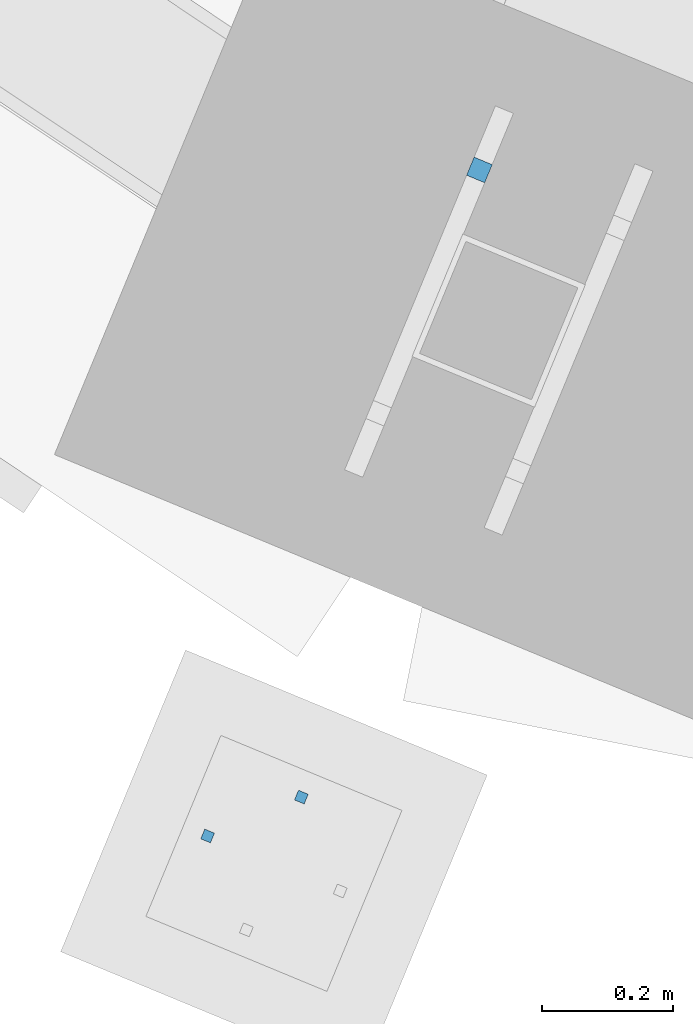
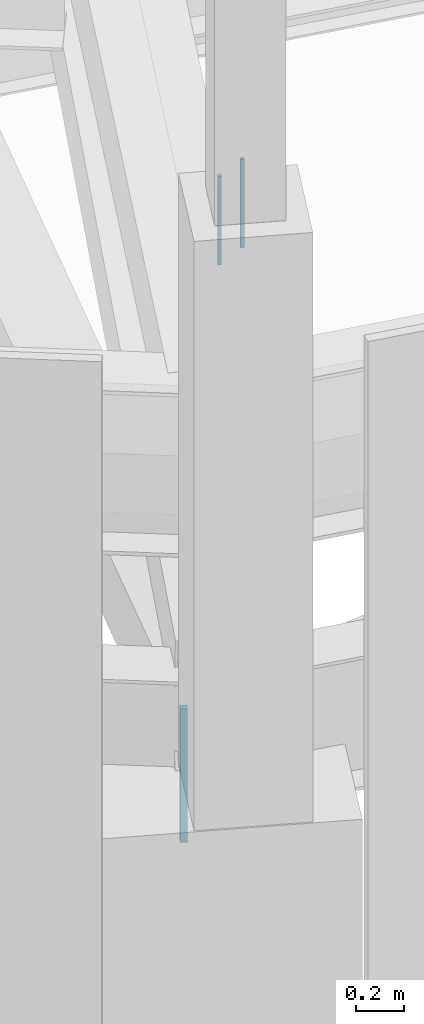
# One storey, part 111 of 278: 3 mechanical fasteners.
"""IFC4 building model written with IfcOpenShell, lengths in metres."""

import ifcopenshell
import ifcopenshell.guid

model = None  # the IFC model being written
_history = None  # IfcOwnerHistory: only IFC2X3 demands one
_inside = {}  # id of a spatial element -> (the spatial element, [elements in it])
_under = {}  # id of a project, library or spatial element -> (it, [spatial elements below it])
_declared = {}  # id of a project -> (the project, [libraries it declares])
_typed = {}  # id of a type object -> (the type object, [elements of that type])
_made_of = {}  # id of a material, layer set ... -> (it, [elements and type objects made of it])


def new_model(schema):
    """Start an empty IFC model of exactly this schema.

    Asked for "IFC4X3", IfcOpenShell would pick the latest addendum, in which some entities
    have other attributes; the version numbers below select the first issue.
    IFC2X3 requires an IfcOwnerHistory on every rooted entity: one is made here for all.
    """
    global model, _history
    if schema == "IFC4X3":
        model = ifcopenshell.file(schema_version=(4, 3, 0, 0))
    else:
        model = ifcopenshell.file(schema=schema)
    _inside.clear()
    _under.clear()
    _declared.clear()
    _typed.clear()
    _made_of.clear()
    _history = None
    if model.schema == "IFC2X3":
        org = make("IfcOrganization", Name="unknown")
        user = make(
            "IfcPersonAndOrganization",
            ThePerson=make("IfcPerson", FamilyName="unknown"),
            TheOrganization=org,
        )
        app = make(
            "IfcApplication",
            ApplicationDeveloper=org,
            Version="unknown",
            ApplicationFullName="unknown",
            ApplicationIdentifier="unknown",
        )
        _history = make(
            "IfcOwnerHistory",
            OwningUser=user,
            OwningApplication=app,
            ChangeAction="ADDED",
            CreationDate=0,
        )
    return model


def make(cls, **values):
    """One entity of the class cls with the attributes given. An attribute that is None is left unset."""
    return model.create_entity(
        cls, **{name: value for name, value in values.items() if value is not None}
    )


def rooted(cls, **values):
    """An entity with a GlobalId (a new one), such as an element, a storey or a relation."""
    return make(cls, GlobalId=ifcopenshell.guid.new(), OwnerHistory=_history, **values)


def si_unit(unit_type, name, prefix=None):
    """IfcSIUnit, for example si_unit("LENGTHUNIT", "METRE", prefix="MILLI")."""
    return make("IfcSIUnit", UnitType=unit_type, Prefix=prefix, Name=name)


def assignment(units):
    """IfcUnitAssignment: the units of a project."""
    return None if units is None else make("IfcUnitAssignment", Units=units)


def point(xyz):
    """IfcCartesianPoint."""
    return None if xyz is None else make("IfcCartesianPoint", Coordinates=xyz)


def direction(xyz):
    """IfcDirection."""
    return None if xyz is None else make("IfcDirection", DirectionRatios=xyz)


def frame(location, z_axis=None, x_axis=None):
    """IfcAxis2Placement3D, a coordinate frame: its origin and axes. An axis left out is left unset."""
    return make(
        "IfcAxis2Placement3D",
        Location=point(location),
        Axis=direction(z_axis),
        RefDirection=direction(x_axis),
    )


def frame_2d(location, x_axis=None):
    """IfcAxis2Placement2D, a coordinate frame in the plane: its origin and x axis."""
    return make(
        "IfcAxis2Placement2D", Location=point(location), RefDirection=direction(x_axis)
    )


def origin():
    """The frame at (0, 0, 0) with its axes left unset."""
    return frame((0.0, 0.0, 0.0))


def origin_2d():
    """The frame at (0, 0) in the plane with its x axis left unset."""
    return frame_2d((0.0, 0.0))


def place(relative_to, where):
    """IfcLocalPlacement: puts the frame where relative to a parent placement (None: the world)."""
    return make(
        "IfcLocalPlacement", PlacementRelTo=relative_to, RelativePlacement=where
    )


def context(
    kind, dimensions, precision=None, world=None, true_north=None, identifier=None
):
    """IfcGeometricRepresentationContext, for example the 3D "Model" context."""
    return make(
        "IfcGeometricRepresentationContext",
        ContextIdentifier=identifier,
        ContextType=kind,
        CoordinateSpaceDimension=dimensions,
        Precision=precision,
        WorldCoordinateSystem=world,
        TrueNorth=true_north,
    )


def subcontext(parent, identifier, kind, view, scale=None):
    """IfcGeometricRepresentationSubContext, for example "Body" below "Model"."""
    return make(
        "IfcGeometricRepresentationSubContext",
        ContextIdentifier=identifier,
        ContextType=kind,
        ParentContext=parent,
        TargetScale=scale,
        TargetView=view,
    )


def project(units=None, contexts=None):
    """IfcProject with its units and contexts."""
    return rooted(
        "IfcProject",
        Name="project",
        RepresentationContexts=contexts,
        UnitsInContext=assignment(units),
    )


def spatial(cls, under=None, at=None, **own):
    """A site, building, storey or space (cls), placed at a placement, below another one or the project."""
    s = rooted(cls, ObjectPlacement=at, **own)
    if under is not None:
        _under.setdefault(under.id(), (under, []))[1].append(s)
    return s


def profile(cls, at=None, kind="AREA", **sizes):
    """A parametric profile (cls). Its sizes go by their IFC names, for example OverallWidth=200.0."""
    return make(cls, ProfileType=kind, Position=at, **sizes)


def rectangle(**sizes):
    """IfcRectangleProfileDef."""
    return profile("IfcRectangleProfileDef", **sizes)


def extrude(swept, where, along, depth):
    """IfcExtrudedAreaSolid: the profile swept, set in the frame where, extruded along a direction by depth."""
    return make(
        "IfcExtrudedAreaSolid",
        SweptArea=swept,
        Position=where,
        ExtrudedDirection=direction(along),
        Depth=depth,
    )


def shape(context_of_items, identifier, shape_type, items):
    """IfcShapeRepresentation: the items that make up one representation, for example the "Body"."""
    return make(
        "IfcShapeRepresentation",
        ContextOfItems=context_of_items,
        RepresentationIdentifier=identifier,
        RepresentationType=shape_type,
        Items=items,
    )


def material(Name=None, Category=None):
    """IfcMaterial."""
    return make("IfcMaterial", Name=Name, Category=Category)


def made_of(thing, what):
    """Note that an element or type object is made of a material, layer set ...; save() writes the relation."""
    if what is not None:
        _made_of.setdefault(what.id(), (what, []))[1].append(thing)
    return thing


def type_object(cls, material=None, **own):
    """A type object (cls), such as IfcWallType, which elements share."""
    return made_of(rooted(cls, **own), material)


def element(
    cls,
    number,
    at=None,
    inside=None,
    cuts=None,
    type_object=None,
    material=None,
    context=None,
    identifier="Body",
    shape_type=None,
    held_by="IfcProductDefinitionShape",
    body=None,
    shapes=None,
    **own,
):
    """One element of the class cls, such as IfcWall. Its Tag is "e" and its number.

    at: its placement. inside: the storey or other place that contains it. cuts: it is an
    opening in that element (IfcRelVoidsElement). A single representation is given by context,
    identifier, shape_type and body (its items); several are given by shapes. held_by: the class
    of the entity that holds the representations. save() writes the other relations.
    """
    e = rooted(cls, Tag="e%d" % number, ObjectPlacement=at, **own)
    if body is not None:
        shapes = [shape(context, identifier, shape_type, body)]
    if shapes is not None:
        e.Representation = make(held_by, Representations=shapes)
    if inside is not None:
        _inside.setdefault(inside.id(), (inside, []))[1].append(e)
    if cuts is not None:
        rooted(
            "IfcRelVoidsElement", RelatingBuildingElement=cuts, RelatedOpeningElement=e
        )
    if type_object is not None:
        _typed.setdefault(type_object.id(), (type_object, []))[1].append(e)
    return made_of(e, material)


def aggregate(whole, parts):
    """IfcRelAggregates: a whole, such as a stair, and the parts it consists of."""
    return rooted("IfcRelAggregates", RelatingObject=whole, RelatedObjects=parts)


def save(model, path):
    """Write the relations noted so far, then the file.

    IfcRelAggregates (storeys below a building ...), IfcRelContainedInSpatialStructure (elements
    in a storey), IfcRelDefinesByType, IfcRelAssociatesMaterial and IfcRelDeclares: one each for
    every whole, place, type object, material and project.
    """
    for whole, parts in _under.values():
        aggregate(whole, parts)
    for where, things in _inside.values():
        rooted(
            "IfcRelContainedInSpatialStructure",
            RelatedElements=things,
            RelatingStructure=where,
        )
    for kind, things in _typed.values():
        rooted("IfcRelDefinesByType", RelatedObjects=things, RelatingType=kind)
    for what, things in _made_of.values():
        rooted("IfcRelAssociatesMaterial", RelatedObjects=things, RelatingMaterial=what)
    for by, libraries in _declared.values():
        rooted("IfcRelDeclares", RelatingContext=by, RelatedDefinitions=libraries)
    model.write(path)


model = new_model("IFC4")

# Units and contexts
model_context = context("Model", 3, precision=1e-05, world=origin(), true_north=direction((0.0, 1.0)))
body_context = subcontext(model_context, "Body", "Model", "MODEL_VIEW")
ifc_project = project(units=[si_unit("LENGTHUNIT", "METRE"), si_unit("AREAUNIT", "SQUARE_METRE"), si_unit("VOLUMEUNIT", "CUBIC_METRE"), si_unit("PLANEANGLEUNIT", "RADIAN"), si_unit("MASSUNIT", "GRAM", prefix="KILO")], contexts=[model_context])

# Site, building, storey
site_placement = place(None, origin())
site = spatial("IfcSite", under=ifc_project, at=site_placement, CompositionType="ELEMENT")
building_placement = place(site_placement, origin())
building = spatial("IfcBuilding", under=site, at=building_placement, Name="Ogive Plaza Stadium", CompositionType="ELEMENT")
storey_placement = place(building_placement, frame((0.0, 0.0, 29.0)))
storey = spatial("IfcBuildingStorey", under=building, at=storey_placement, Name="Roof", CompositionType="ELEMENT", Elevation=29.0)

# Mechanical fasteners
ifc_material_1 = material(Name="Steel ASTM A992 Grade 50", Category="steel")
mechanical_fastener_type_1 = type_object("IfcMechanicalFastenerType", Name="Anchor bolt M30 x 600", PredefinedType="ANCHORBOLT", material=ifc_material_1)
mechanical_fastener_placement = place(storey_placement, frame((-53.163818359375, -98.46337890625, 3.0), z_axis=(0.0, 0.0, 1.0), x_axis=(-0.382683432365, -0.923879532511, 0.0)))
element("IfcMechanicalFastener", 1, at=mechanical_fastener_placement, inside=storey, type_object=mechanical_fastener_type_1, Name="ANCHOR BOLT 18 BF 2.2", PredefinedType="ANCHORBOLT", context=body_context, shape_type="SweptSolid", body=[
    extrude(rectangle(XDim=0.030029296875, YDim=0.030029296875, at=origin_2d()), origin(), (0.0, 0.0, 1.0), 0.679931640625),
])
ifc_material_2 = material(Name="Steel ASTM A992 Grade 50", Category="steel")
mechanical_fastener_type_2 = type_object("IfcMechanicalFastenerType", Name="Spire anchor bolt M16 x 450", PredefinedType="ANCHORBOLT", material=ifc_material_2)
for number, where, z_axis, x_axis, name in (
    (2, (-53.4365234375, -99.423828125, 6.7001953125), (0.0, 0.0, 1.0), (-0.382683432365, -0.923879532511, 0.0), "SPIRE ANCHOR BOLT 18 2"),
    (3, (-53.580078125, -99.4833984375, 6.7001953125), (0.0, 0.0, 1.0), (-0.382683432365, -0.923879532511, 0.0), "SPIRE ANCHOR BOLT 18 4"),
):
    element("IfcMechanicalFastener", number, at=place(storey_placement, frame(where, z_axis=z_axis, x_axis=x_axis)), inside=storey, type_object=mechanical_fastener_type_2, Name=name, PredefinedType="ANCHORBOLT", context=body_context, shape_type="SweptSolid", body=[
        extrude(rectangle(XDim=0.01611328125, YDim=0.01611328125, at=origin_2d()), origin(), (0.0, 0.0, 1.0), 0.449951171875),
    ])

save(model, "model.ifc")
